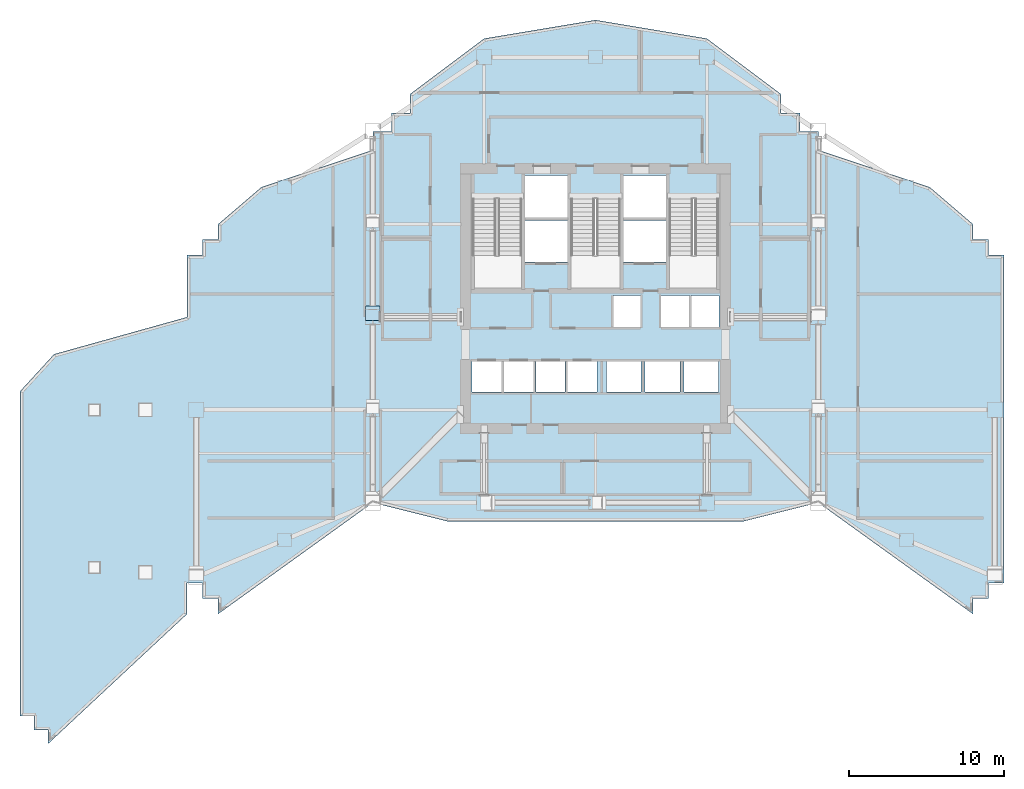
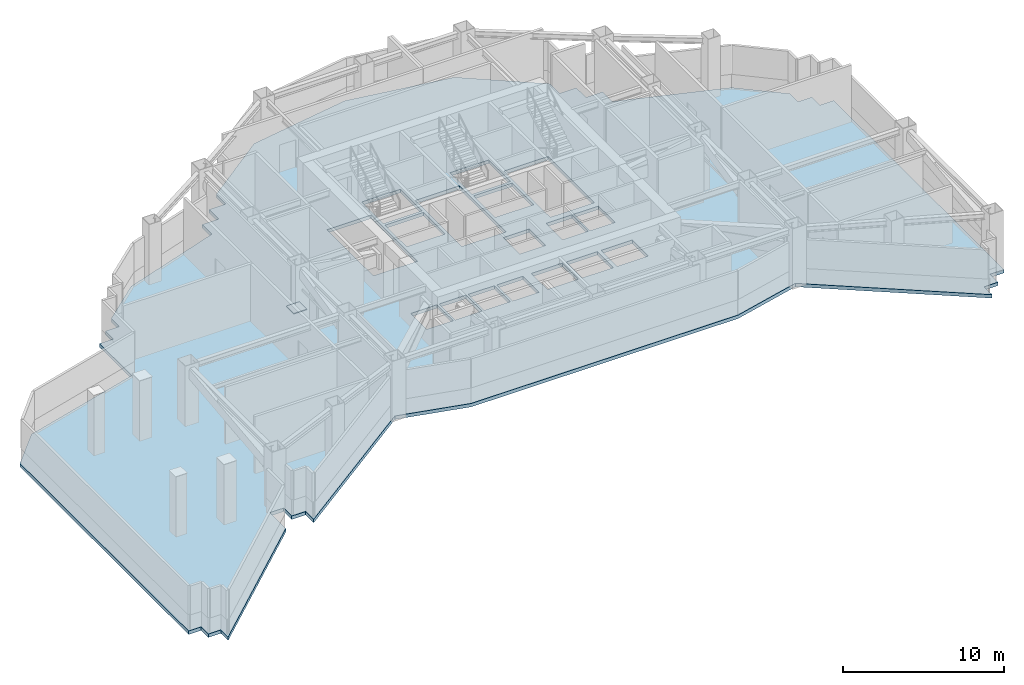
# One storey, part 4 of 24: 1 plate, 1 slab.
"""IFC4 building model written with IfcOpenShell, lengths in metres."""

from ifc_helpers import new_model, si_unit, direction, frame, origin, origin_2d, place, context, subcontext, project, spatial, polyline, rectangle, outline, extrude, material, layer, layer_set, type_object, element, save


model = new_model("IFC4")

# Units and contexts
model_context = context("Model", 3, precision=1e-05, world=origin(), true_north=direction((0.0, 1.0)))
body_context = subcontext(model_context, "Body", "Model", "MODEL_VIEW")
ifc_project = project(units=[si_unit("LENGTHUNIT", "METRE"), si_unit("AREAUNIT", "SQUARE_METRE"), si_unit("VOLUMEUNIT", "CUBIC_METRE"), si_unit("PLANEANGLEUNIT", "RADIAN"), si_unit("MASSUNIT", "GRAM", prefix="KILO")], contexts=[model_context])

# Site, building, storey
site_placement = place(None, origin())
site = spatial("IfcSite", under=ifc_project, at=site_placement, CompositionType="ELEMENT")
building_placement = place(site_placement, origin())
building = spatial("IfcBuilding", under=site, at=building_placement, Name="Haolan Belvedere Tower", CompositionType="ELEMENT")
storey_placement = place(building_placement, frame((0.0, 0.0, 160.0)))
storey = spatial("IfcBuildingStorey", under=building, at=storey_placement, Name="L40", CompositionType="ELEMENT", Elevation=160.0)

# Plate
ifc_material_1 = material(Name="Steel Q390GJC", Category="steel")
ifc_layer_1 = layer(ifc_material_1, 0.035888671875, Name="Steel Q390GJC")
ifc_layer_set_1 = layer_set([ifc_layer_1], Name="Steel Q390GJC")
plate_type = type_object("IfcPlateType", Name="PL-NODE-NP03", PredefinedType="USERDEFINED", material=ifc_layer_set_1)
plate_placement = place(storey_placement, frame((24.0, 33.844970703125, 0.7822265625), z_axis=(0.0, 0.0, 1.0), x_axis=(1.0, 0.0, 0.0)))
element("IfcPlate", 1, at=plate_placement, inside=storey, type_object=plate_type, Name="NP-03 belt truss node plate L40 BT-W3", ObjectType="GUSSET", PredefinedType="USERDEFINED", context=body_context, shape_type="SweptSolid", body=[
    extrude(rectangle(XDim=0.93994140625, YDim=0.93994140625, at=origin_2d()), origin(), (0.0, 0.0, 1.0), 0.035888671875),
])

# Slab
ifc_material_2 = material(Name="Concrete C45/55", Category="concrete")
ifc_layer_2 = layer(ifc_material_2, 0.260009765625, Name="Concrete C45/55")
ifc_layer_set_2 = layer_set([ifc_layer_2], Name="Concrete C45/55")
slab_type = type_object("IfcSlabType", Name="SL-FLR-260", PredefinedType="FLOOR", material=ifc_layer_set_2)
slab_placement = place(storey_placement, frame((0.0, 0.0, -0.260009765625)))
element("IfcSlab", 2, at=slab_placement, inside=storey, type_object=slab_type, Name="L40 structural floor slab", PredefinedType="FLOOR", context=body_context, shape_type="SweptSolid", body=[
    extrude(outline(polyline([(12.0, 14.39990234375), (12.0, 16.39990234375), (13.0, 16.39990234375), (13.0, 15.39990234375), (14.0, 15.39990234375), (14.0, 14.39990234375), (24.0, 21.60009765625), (28.800048828125, 20.39990234375), (48.0, 20.39990234375), (52.800048828125, 21.60009765625), (62.800048828125, 14.39990234375), (62.800048828125, 15.39990234375), (63.800048828125, 15.39990234375), (63.800048828125, 16.39990234375), (64.800048828125, 16.39990234375), (64.800048828125, 37.60009765625), (63.800048828125, 37.60009765625), (63.800048828125, 38.60009765625), (62.800048828125, 38.60009765625), (62.800048828125, 39.60009765625), (60.0, 42.0), (52.800048828125, 44.39990234375), (52.800048828125, 45.60009765625), (51.60009765625, 45.60009765625), (51.60009765625, 46.800048828125), (50.39990234375, 46.800048828125), (50.39990234375, 48.0), (45.60009765625, 51.60009765625), (38.39990234375, 52.800048828125), (31.199951171875, 51.60009765625), (26.39990234375, 48.0), (26.39990234375, 46.800048828125), (25.199951171875, 46.800048828125), (25.199951171875, 45.60009765625), (24.0, 45.60009765625), (24.0, 44.39990234375), (16.800048828125, 42.0), (14.0, 39.60009765625), (14.0, 38.60009765625), (13.0, 38.60009765625), (13.0, 37.60009765625), (12.0, 37.60009765625), (12.0, 33.60009765625), (3.39990234375, 31.199951171875), (1.199951171875, 28.800048828125), (1.199951171875, 8.39990234375), (1.199951171875, 7.800048828125), (2.10009765625, 7.800048828125), (2.10009765625, 6.89990234375), (3.0, 6.89990234375), (3.0, 6.0), (12.0, 14.39990234375)]), holes=[polyline([(30.449951171875, 41.22998046875), (30.449951171875, 35.449951171875), (33.6298828125, 35.449951171875), (33.6298828125, 41.22998046875), (30.449951171875, 41.22998046875)]), polyline([(36.81005859375, 41.22998046875), (36.81005859375, 35.449951171875), (39.989990234375, 35.449951171875), (39.989990234375, 41.22998046875), (36.81005859375, 41.22998046875)]), polyline([(43.169921875, 41.22998046875), (43.169921875, 35.449951171875), (46.35009765625, 35.449951171875), (46.35009765625, 41.22998046875), (43.169921875, 41.22998046875)]), polyline([(33.830078125, 40.050048828125), (36.610107421875, 40.050048828125), (36.610107421875, 42.75), (33.830078125, 42.75), (33.830078125, 40.050048828125)]), polyline([(33.830078125, 37.14990234375), (36.610107421875, 37.14990234375), (36.610107421875, 39.85009765625), (33.830078125, 39.85009765625), (33.830078125, 37.14990234375)]), polyline([(40.18994140625, 40.050048828125), (42.969970703125, 40.050048828125), (42.969970703125, 42.75), (40.18994140625, 42.75), (40.18994140625, 40.050048828125)]), polyline([(40.18994140625, 37.14990234375), (42.969970703125, 37.14990234375), (42.969970703125, 39.85009765625), (40.18994140625, 39.85009765625), (40.18994140625, 37.14990234375)]), polyline([(39.5400390625, 32.949951171875), (41.389892578125, 32.949951171875), (41.389892578125, 35.0), (39.5400390625, 35.0), (39.5400390625, 32.949951171875)]), polyline([(42.6201171875, 32.949951171875), (44.469970703125, 32.949951171875), (44.469970703125, 35.0), (42.6201171875, 35.0), (42.6201171875, 32.949951171875)]), polyline([(44.580078125, 32.949951171875), (46.3798828125, 32.949951171875), (46.3798828125, 35.0), (44.580078125, 35.0), (44.580078125, 32.949951171875)]), polyline([(30.419921875, 28.75), (32.320068359375, 28.75), (32.320068359375, 30.75), (30.419921875, 30.75), (30.419921875, 28.75)]), polyline([(32.47998046875, 28.75), (34.3798828125, 28.75), (34.3798828125, 30.75), (32.47998046875, 30.75), (32.47998046875, 28.75)]), polyline([(34.5400390625, 28.75), (36.43994140625, 28.75), (36.43994140625, 30.75), (34.5400390625, 30.75), (34.5400390625, 28.75)]), polyline([(36.60009765625, 28.75), (38.5, 28.75), (38.5, 30.75), (36.60009765625, 30.75), (36.60009765625, 28.75)]), polyline([(39.10009765625, 28.75), (41.340087890625, 28.75), (41.340087890625, 30.75), (39.10009765625, 30.75), (39.10009765625, 28.75)]), polyline([(41.610107421875, 28.75), (43.85009765625, 28.75), (43.85009765625, 30.75), (41.610107421875, 30.75), (41.610107421875, 28.75)]), polyline([(44.1201171875, 28.75), (46.360107421875, 28.75), (46.360107421875, 30.75), (44.1201171875, 30.75), (44.1201171875, 28.75)])]), origin(), (0.0, 0.0, 1.0), 0.260009765625),
])

save(model, "model.ifc")
